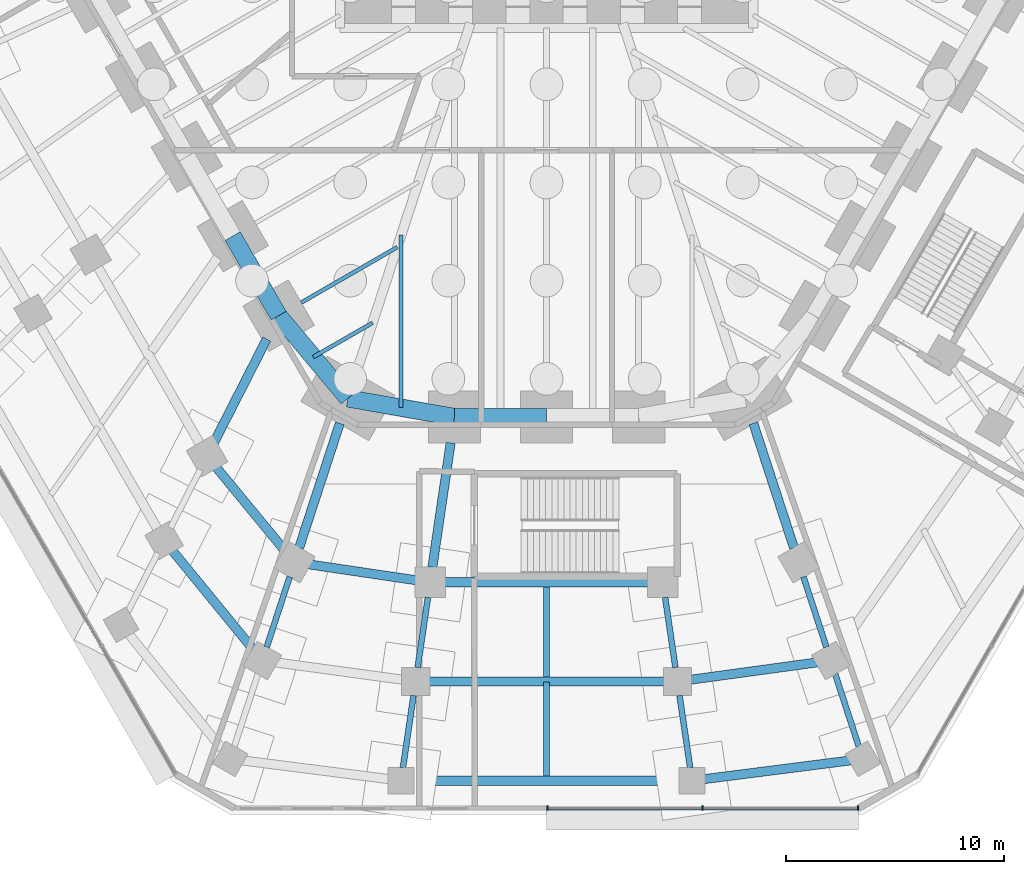
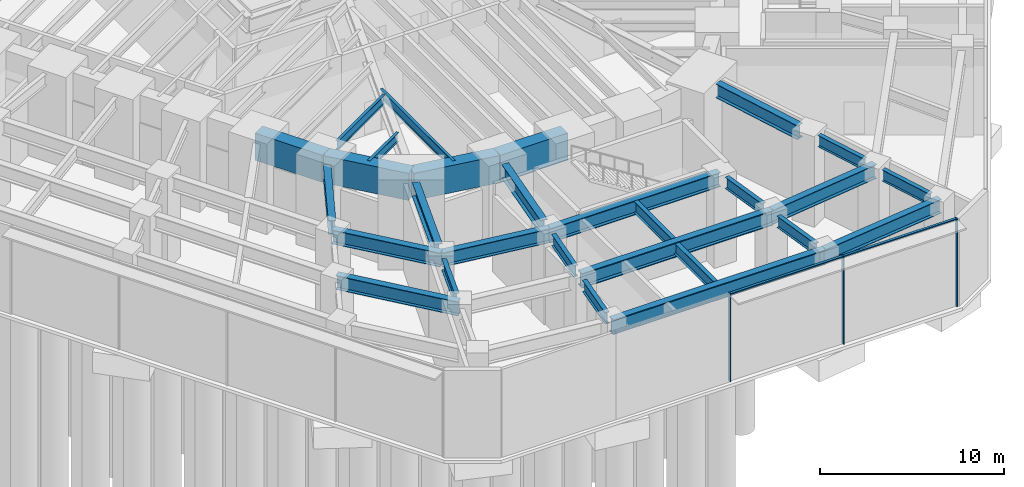
# One storey, part 4 of 34: 28 beams, 5 members, 1 element without a shape of its own.
"""IFC4 building model written with IfcOpenShell, lengths in metres."""

from ifc_helpers import new_model, si_unit, direction, frame, origin, origin_2d, place, context, subcontext, project, spatial, rectangle, i_section, extrude, material, material_profile, profile_set, type_object, element, aggregate, save


model = new_model("IFC4")

# Units and contexts
model_context = context("Model", 3, precision=1e-05, world=origin(), true_north=direction((0.0, 1.0)))
body_context = subcontext(model_context, "Body", "Model", "MODEL_VIEW")
ifc_project = project(units=[si_unit("LENGTHUNIT", "METRE"), si_unit("AREAUNIT", "SQUARE_METRE"), si_unit("VOLUMEUNIT", "CUBIC_METRE"), si_unit("PLANEANGLEUNIT", "RADIAN"), si_unit("MASSUNIT", "GRAM", prefix="KILO")], contexts=[model_context])

# Site, building, storey
site_placement = place(None, origin())
site = spatial("IfcSite", under=ifc_project, at=site_placement, CompositionType="ELEMENT")
building_placement = place(site_placement, origin())
building = spatial("IfcBuilding", under=site, at=building_placement, Name="Sandreach Pilgrim Tower", CompositionType="ELEMENT")
storey_placement = place(building_placement, origin())
storey = spatial("IfcBuildingStorey", under=building, at=storey_placement, Name="L00", CompositionType="ELEMENT", Elevation=0.0)

# Curtain wall, members
ifc_material_1 = material(Name="Aluminium framed curtain wall", Category="aluminium")
curtain_wall_type = type_object("IfcCurtainWallType", Name="Podium storefront curtain wall", PredefinedType="NOTDEFINED", material=ifc_material_1)
curtain_wall_placement = place(storey_placement, origin())
curtain_wall = element("IfcCurtainWall", 1, at=curtain_wall_placement, inside=storey, type_object=curtain_wall_type, Name="CW-P L00 SA", PredefinedType="NOTDEFINED")
ifc_material_2 = material(Name="Aluminium extrusion", Category="aluminium")
ifc_material_profile_1 = material_profile(ifc_material_2, rectangle(XDim=0.070068359375, YDim=0.199951171875, at=origin_2d()), Name="CW-PM 70X200")
ifc_profile_set_1 = profile_set([ifc_material_profile_1], Name="Aluminium extrusion")
member_type_1 = type_object("IfcMemberType", Name="CW-P mullion", PredefinedType="MULLION", material=ifc_profile_set_1)
member_1_placement = place(storey_placement, frame((14.277099609375, -46.681884765625, 0.0), z_axis=(0.0, 0.0, 1.0), x_axis=(-1.0, 0.0, 0.0)))
member_1 = element("IfcMember", 2, at=member_1_placement, type_object=member_type_1, Name="CW-P mullion 1", PredefinedType="MULLION", context=body_context, shape_type="SweptSolid", body=[
    extrude(rectangle(XDim=0.070068359375, YDim=0.199951171875, at=origin_2d()), origin(), (0.0, 0.0, 1.0), 5.840087890625),
])
member_2_placement = place(storey_placement, frame((7.156005859375, -46.681884765625, 0.0), z_axis=(0.0, 0.0, 1.0), x_axis=(-1.0, 0.0, 0.0)))
member_2 = element("IfcMember", 3, at=member_2_placement, type_object=member_type_1, Name="CW-P mullion 2", PredefinedType="MULLION", context=body_context, shape_type="SweptSolid", body=[
    extrude(rectangle(XDim=0.070068359375, YDim=0.199951171875, at=origin_2d()), origin(), (0.0, 0.0, 1.0), 5.840087890625),
])
member_3_placement = place(storey_placement, frame((0.034912109375, -46.681884765625, 0.0), z_axis=(0.0, 0.0, 1.0), x_axis=(-1.0, 0.0, 0.0)))
member_3 = element("IfcMember", 4, at=member_3_placement, type_object=member_type_1, Name="CW-P mullion 3", PredefinedType="MULLION", context=body_context, shape_type="SweptSolid", body=[
    extrude(rectangle(XDim=0.070068359375, YDim=0.199951171875, at=origin_2d()), origin(), (0.0, 0.0, 1.0), 5.840087890625),
])
ifc_material_3 = material(Name="Aluminium extrusion", Category="aluminium")
ifc_material_profile_2 = material_profile(ifc_material_3, rectangle(XDim=0.159912109375, YDim=0.070068359375, at=origin_2d()), Name="CW-PT 160X70")
ifc_profile_set_2 = profile_set([ifc_material_profile_2], Name="Aluminium extrusion")
member_type_2 = type_object("IfcMemberType", Name="CW-P transom", PredefinedType="USERDEFINED", material=ifc_profile_set_2)
member_4_placement = place(storey_placement, frame((14.241943359375, -46.681884765625, 5.804931640625), z_axis=(-1.0, 0.0, 0.0), x_axis=(0.0, -1.0, 0.0)))
member_4 = element("IfcMember", 5, at=member_4_placement, type_object=member_type_2, Name="CW-P head transom 1", ObjectType="TRANSOM", PredefinedType="USERDEFINED", context=body_context, shape_type="SweptSolid", body=[
    extrude(rectangle(XDim=0.159912109375, YDim=0.070068359375, at=origin_2d()), origin(), (0.0, 0.0, 1.0), 7.051025390625),
])
member_5_placement = place(storey_placement, frame((7.12109375, -46.681884765625, 5.804931640625), z_axis=(-1.0, 0.0, 0.0), x_axis=(0.0, -1.0, 0.0)))
member_5 = element("IfcMember", 6, at=member_5_placement, type_object=member_type_2, Name="CW-P head transom 2", ObjectType="TRANSOM", PredefinedType="USERDEFINED", context=body_context, shape_type="SweptSolid", body=[
    extrude(rectangle(XDim=0.159912109375, YDim=0.070068359375, at=origin_2d()), origin(), (0.0, 0.0, 1.0), 7.051025390625),
])
aggregate(curtain_wall, [member_1, member_2, member_3, member_4, member_5])

# Beams
ifc_material_4 = material(Name="Steel ASTM A992 Grade 50", Category="steel")
ifc_material_profile_3 = material_profile(ifc_material_4, i_section(OverallWidth=0.1787109375, OverallDepth=0.60205078125, WebThickness=0.010986328125, FlangeThickness=0.014892578125, at=origin_2d()), Name="W24X62")
ifc_profile_set_3 = profile_set([ifc_material_profile_3], Name="Steel ASTM A992 Grade 50")
beam_type_1 = type_object("IfcBeamType", Name="Floor beam W24X62", PredefinedType="BEAM", material=ifc_profile_set_3)
beam_1_placement = place(storey_placement, frame((-11.242431640625, -23.5048828125, 5.5390625), z_axis=(0.866027897259, 0.49999568115, 0.0), x_axis=(-0.49999568115, 0.866027897259, 0.0)))
element("IfcBeam", 7, at=beam_1_placement, inside=storey, type_object=beam_type_1, Name="BM L00 F27", PredefinedType="BEAM", context=body_context, shape_type="SweptSolid", body=[
    extrude(i_section(OverallWidth=0.1787109375, OverallDepth=0.60205078125, WebThickness=0.010986328125, FlangeThickness=0.014892578125, at=origin_2d()), origin(), (0.0, 0.0, 1.0), 5.0791015625),
])
beam_2_placement = place(storey_placement, frame((-6.664306640625, -28.323974609375, 5.5390625), z_axis=(0.0, 1.0, 0.0), x_axis=(-1.0, 0.0, 0.0)))
element("IfcBeam", 8, at=beam_2_placement, inside=storey, type_object=beam_type_1, Name="BM L00 FM25", PredefinedType="BEAM", context=body_context, shape_type="SweptSolid", body=[
    extrude(i_section(OverallWidth=0.1787109375, OverallDepth=0.60205078125, WebThickness=0.010986328125, FlangeThickness=0.014892578125, at=origin_2d()), origin(), (0.0, 0.0, 1.0), 7.907958984375),
])
beam_3_placement = place(storey_placement, frame((-10.694091796875, -26.0009765625, 5.5390625), z_axis=(0.866023718453, 0.500002919068, 0.0), x_axis=(-0.500002919068, 0.866023718453, 0.0)))
element("IfcBeam", 9, at=beam_3_placement, inside=storey, type_object=beam_type_1, Name="BM L00 FM26", PredefinedType="BEAM", context=body_context, shape_type="SweptSolid", body=[
    extrude(i_section(OverallWidth=0.1787109375, OverallDepth=0.60205078125, WebThickness=0.010986328125, FlangeThickness=0.014892578125, at=origin_2d()), origin(), (0.0, 0.0, 1.0), 3.1396484375),
])
ifc_material_5 = material(Name="Steel ASTM A992 Grade 50", Category="steel")
ifc_material_profile_4 = material_profile(ifc_material_5, i_section(OverallWidth=0.2666015625, OverallDepth=0.7568359375, WebThickness=0.013916015625, FlangeThickness=0.019287109375, at=origin_2d()), Name="W30X108")
ifc_profile_set_4 = profile_set([ifc_material_profile_4], Name="Steel ASTM A992 Grade 50")
beam_type_2 = type_object("IfcBeamType", Name="Podium beam W30X108", PredefinedType="BEAM", material=ifc_profile_set_4)
beam_4_placement = place(storey_placement, frame((11.775390625, -36.073486328125, 5.46142578125), z_axis=(0.310346008344, -0.950623666392, 0.0), x_axis=(0.950623666392, 0.310346008344, 0.0)))
element("IfcBeam", 10, at=beam_4_placement, inside=storey, type_object=beam_type_2, Name="BM L00 PR140-22", PredefinedType="BEAM", context=body_context, shape_type="SweptSolid", body=[
    extrude(i_section(OverallWidth=0.2666015625, OverallDepth=0.7568359375, WebThickness=0.013916015625, FlangeThickness=0.019287109375, at=origin_2d()), origin(), (0.0, 0.0, 1.0), 3.390625),
])
beam_5_placement = place(storey_placement, frame((5.436767578125, -37.021240234375, 5.46142578125), z_axis=(0.145338057228, -0.989382054174, 0.0), x_axis=(0.989382054174, 0.145338057228, 0.0)))
element("IfcBeam", 11, at=beam_5_placement, inside=storey, type_object=beam_type_2, Name="BM L00 PR140-23", PredefinedType="BEAM", context=body_context, shape_type="SweptSolid", body=[
    extrude(i_section(OverallWidth=0.2666015625, OverallDepth=0.7568359375, WebThickness=0.013916015625, FlangeThickness=0.019287109375, at=origin_2d()), origin(), (0.0, 0.0, 1.0), 3.245361328125),
])
beam_6_placement = place(storey_placement, frame((0.0, -36.540771484375, 5.46142578125), z_axis=(0.0, -1.0, 0.0), x_axis=(1.0, 0.0, 0.0)))
element("IfcBeam", 12, at=beam_6_placement, inside=storey, type_object=beam_type_2, Name="BM L00 PR140-24", PredefinedType="BEAM", context=body_context, shape_type="SweptSolid", body=[
    extrude(i_section(OverallWidth=0.2666015625, OverallDepth=0.7568359375, WebThickness=0.013916015625, FlangeThickness=0.019287109375, at=origin_2d()), origin(), (0.0, 0.0, 1.0), 4.12109375),
])
beam_7_placement = place(storey_placement, frame((-5.436767578125, -37.021240234375, 5.46142578125), z_axis=(-0.145338057228, -0.989382054174, 0.0), x_axis=(0.989382054174, -0.145338057228, 0.0)))
element("IfcBeam", 13, at=beam_7_placement, inside=storey, type_object=beam_type_2, Name="BM L00 PR140-25", PredefinedType="BEAM", context=body_context, shape_type="SweptSolid", body=[
    extrude(i_section(OverallWidth=0.2666015625, OverallDepth=0.7568359375, WebThickness=0.013916015625, FlangeThickness=0.019287109375, at=origin_2d()), origin(), (0.0, 0.0, 1.0), 3.245361328125),
])
beam_8_placement = place(storey_placement, frame((-11.775390625, -36.073486328125, 5.46142578125), z_axis=(-0.310346008344, -0.950623666392, 0.0), x_axis=(0.950623666392, -0.310346008344, 0.0)))
element("IfcBeam", 14, at=beam_8_placement, inside=storey, type_object=beam_type_2, Name="BM L00 PR140-26", PredefinedType="BEAM", context=body_context, shape_type="SweptSolid", body=[
    extrude(i_section(OverallWidth=0.2666015625, OverallDepth=0.7568359375, WebThickness=0.013916015625, FlangeThickness=0.019287109375, at=origin_2d()), origin(), (0.0, 0.0, 1.0), 3.390625),
])
beam_9_placement = place(storey_placement, frame((13.23095703125, -40.532470703125, 5.37158203125), z_axis=(0.310325680687, -0.950630302434, 0.0), x_axis=(0.950630302434, 0.310325680687, 0.0)))
element("IfcBeam", 15, at=beam_9_placement, inside=storey, type_object=beam_type_2, Name="BM L00 PR155-22", PredefinedType="BEAM", context=body_context, shape_type="SweptSolid", body=[
    extrude(i_section(OverallWidth=0.2666015625, OverallDepth=0.7568359375, WebThickness=0.013916015625, FlangeThickness=0.019287109375, at=origin_2d()), origin(), (0.0, 0.0, 1.0), 3.49072265625),
])
beam_10_placement = place(storey_placement, frame((6.097412109375, -41.518310546875, 5.37158203125), z_axis=(0.145302794281, -0.989387233582, 0.0), x_axis=(0.989387233582, 0.145302794281, 0.0)))
element("IfcBeam", 16, at=beam_10_placement, inside=storey, type_object=beam_type_2, Name="BM L00 PR155-23", PredefinedType="BEAM", context=body_context, shape_type="SweptSolid", body=[
    extrude(i_section(OverallWidth=0.2666015625, OverallDepth=0.7568359375, WebThickness=0.013916015625, FlangeThickness=0.019287109375, at=origin_2d()), origin(), (0.0, 0.0, 1.0), 3.34521484375),
])
beam_11_placement = place(storey_placement, frame((0.0, -40.890625, 5.37158203125), z_axis=(0.0, -1.0, 0.0), x_axis=(1.0, 0.0, 0.0)))
element("IfcBeam", 17, at=beam_11_placement, inside=storey, type_object=beam_type_2, Name="BM L00 PR155-24", PredefinedType="BEAM", context=body_context, shape_type="SweptSolid", body=[
    extrude(i_section(OverallWidth=0.2666015625, OverallDepth=0.7568359375, WebThickness=0.013916015625, FlangeThickness=0.019287109375, at=origin_2d()), origin(), (0.0, 0.0, 1.0), 4.31787109375),
])
beam_12_placement = place(storey_placement, frame((-6.097412109375, -41.518310546875, 5.37158203125), z_axis=(-0.145302794281, -0.989387233582, 0.0), x_axis=(0.989387233582, -0.145302794281, 0.0)))
element("IfcBeam", 18, at=beam_12_placement, inside=storey, type_object=beam_type_2, Name="BM L00 PR155-25", PredefinedType="BEAM", context=body_context, shape_type="SweptSolid", body=[
    extrude(i_section(OverallWidth=0.2666015625, OverallDepth=0.7568359375, WebThickness=0.013916015625, FlangeThickness=0.019287109375, at=origin_2d()), origin(), (0.0, 0.0, 1.0), 3.34521484375),
])
ifc_material_6 = material(Name="Steel ASTM A992 Grade 50", Category="steel")
ifc_material_profile_5 = material_profile(ifc_material_6, i_section(OverallWidth=0.419189453125, OverallDepth=0.927001953125, WebThickness=0.019287109375, FlangeThickness=0.031982421875, at=origin_2d()), Name="W36X231")
ifc_profile_set_5 = profile_set([ifc_material_profile_5], Name="Steel ASTM A992 Grade 50")
beam_type_3 = type_object("IfcBeamType", Name="Podium beam W36X231", PredefinedType="BEAM", material=ifc_profile_set_5)
beam_13_placement = place(storey_placement, frame((9.478759765625, -29.037841796875, 5.37646484375), z_axis=(0.310289989087, -0.950641952931, 0.0), x_axis=(0.950641952931, 0.310289989087, 0.0)))
element("IfcBeam", 19, at=beam_13_placement, inside=storey, type_object=beam_type_3, Name="BM L00 PR125-22", PredefinedType="BEAM", context=body_context, shape_type="SweptSolid", body=[
    extrude(i_section(OverallWidth=0.419189453125, OverallDepth=0.927001953125, WebThickness=0.019287109375, FlangeThickness=0.031982421875, at=origin_2d()), origin(), (0.0, 0.0, 1.0), 6.0009765625),
])
beam_14_placement = place(storey_placement, frame((-4.396728515625, -29.938232421875, 5.37646484375), z_axis=(-0.145284063583, -0.989389984217, 0.0), x_axis=(0.989389984217, -0.145284063583, 0.0)))
element("IfcBeam", 20, at=beam_14_placement, inside=storey, type_object=beam_type_3, Name="BM L00 PR125-25", PredefinedType="BEAM", context=body_context, shape_type="SweptSolid", body=[
    extrude(i_section(OverallWidth=0.419189453125, OverallDepth=0.927001953125, WebThickness=0.019287109375, FlangeThickness=0.031982421875, at=origin_2d()), origin(), (0.0, 0.0, 1.0), 5.7587890625),
])
beam_15_placement = place(storey_placement, frame((-9.478759765625, -29.037841796875, 5.37646484375), z_axis=(-0.310289989087, -0.950641952931, 0.0), x_axis=(0.950641952931, -0.310289989087, 0.0)))
element("IfcBeam", 21, at=beam_15_placement, inside=storey, type_object=beam_type_3, Name="BM L00 PR125-26", PredefinedType="BEAM", context=body_context, shape_type="SweptSolid", body=[
    extrude(i_section(OverallWidth=0.419189453125, OverallDepth=0.927001953125, WebThickness=0.019287109375, FlangeThickness=0.031982421875, at=origin_2d()), origin(), (0.0, 0.0, 1.0), 6.0009765625),
])
beam_16_placement = place(storey_placement, frame((-12.826416015625, -25.17431640625, 5.37646484375), z_axis=(-0.453982064466, -0.891010822125, 0.0), x_axis=(0.891010822125, -0.453982064466, 0.0)))
element("IfcBeam", 22, at=beam_16_placement, inside=storey, type_object=beam_type_3, Name="BM L00 PR125-27", PredefinedType="BEAM", context=body_context, shape_type="SweptSolid", body=[
    extrude(i_section(OverallWidth=0.419189453125, OverallDepth=0.927001953125, WebThickness=0.019287109375, FlangeThickness=0.031982421875, at=origin_2d()), origin(), (0.0, 0.0, 1.0), 5.328369140625),
])
ifc_material_7 = material(Name="Steel ASTM A992 Grade 50", Category="steel")
ifc_material_profile_6 = material_profile(ifc_material_7, i_section(OverallWidth=0.419189453125, OverallDepth=0.927001953125, WebThickness=0.019287109375, FlangeThickness=0.031982421875, at=origin_2d()), Name="W36X231")
ifc_profile_set_6 = profile_set([ifc_material_profile_6], Name="Steel ASTM A992 Grade 50")
beam_type_4 = type_object("IfcBeamType", Name="Podium edge beam W36X231", PredefinedType="BEAM", material=ifc_profile_set_6)
beam_17_placement = place(storey_placement, frame((-5.335205078125, -36.32861328125, 5.37646484375), z_axis=(-0.989232407401, 0.146353148743, 0.0), x_axis=(-0.146353148743, -0.989232407401, 0.0)))
element("IfcBeam", 23, at=beam_17_placement, inside=storey, type_object=beam_type_4, Name="BM L00 PE125-25", PredefinedType="BEAM", context=body_context, shape_type="SweptSolid", body=[
    extrude(i_section(OverallWidth=0.419189453125, OverallDepth=0.927001953125, WebThickness=0.019287109375, FlangeThickness=0.031982421875, at=origin_2d()), origin(), (0.0, 0.0, 1.0), 6.29052734375),
])
beam_18_placement = place(storey_placement, frame((-11.55810546875, -35.407958984375, 5.37646484375), z_axis=(-0.635790114851, 0.771861988867, 0.0), x_axis=(-0.771861988867, -0.635790114851, 0.0)))
element("IfcBeam", 24, at=beam_18_placement, inside=storey, type_object=beam_type_4, Name="BM L00 PE125-26", PredefinedType="BEAM", context=body_context, shape_type="SweptSolid", body=[
    extrude(i_section(OverallWidth=0.419189453125, OverallDepth=0.927001953125, WebThickness=0.019287109375, FlangeThickness=0.031982421875, at=origin_2d()), origin(), (0.0, 0.0, 1.0), 6.299560546875),
])
beam_19_placement = place(storey_placement, frame((13.029296875, -39.91455078125, 5.37646484375), z_axis=(-0.990781922529, -0.135466534578, 0.0), x_axis=(0.135466534578, -0.990781922529, 0.0)))
element("IfcBeam", 25, at=beam_19_placement, inside=storey, type_object=beam_type_4, Name="BM L00 PE140-22", PredefinedType="BEAM", context=body_context, shape_type="SweptSolid", body=[
    extrude(i_section(OverallWidth=0.419189453125, OverallDepth=0.927001953125, WebThickness=0.019287109375, FlangeThickness=0.031982421875, at=origin_2d()), origin(), (0.0, 0.0, 1.0), 7.091796875),
])
beam_20_placement = place(storey_placement, frame((-13.029296875, -39.91455078125, 5.37646484375), z_axis=(-0.633144313439, 0.774033770813, 0.0), x_axis=(-0.774033770813, -0.633144313439, 0.0)))
element("IfcBeam", 26, at=beam_20_placement, inside=storey, type_object=beam_type_4, Name="BM L00 PE140-26", PredefinedType="BEAM", context=body_context, shape_type="SweptSolid", body=[
    extrude(i_section(OverallWidth=0.419189453125, OverallDepth=0.927001953125, WebThickness=0.019287109375, FlangeThickness=0.031982421875, at=origin_2d()), origin(), (0.0, 0.0, 1.0), 7.111572265625),
])
beam_21_placement = place(storey_placement, frame((14.500244140625, -44.42138671875, 5.286376953125), z_axis=(-0.9919343967, -0.12675232796, 0.0), x_axis=(0.12675232796, -0.9919343967, 0.0)))
element("IfcBeam", 27, at=beam_21_placement, inside=storey, type_object=beam_type_4, Name="BM L00 PE155-22", PredefinedType="BEAM", context=body_context, shape_type="SweptSolid", body=[
    extrude(i_section(OverallWidth=0.419189453125, OverallDepth=0.927001953125, WebThickness=0.019287109375, FlangeThickness=0.031982421875, at=origin_2d()), origin(), (0.0, 0.0, 1.0), 7.893310546875),
])
ifc_material_8 = material(Name="Steel ASTM A992 Grade 50", Category="steel")
ifc_material_profile_7 = material_profile(ifc_material_8, i_section(OverallWidth=0.424072265625, OverallDepth=0.947509765625, WebThickness=0.02392578125, FlangeThickness=0.042724609375, at=origin_2d()), Name="W36X302")
ifc_profile_set_7 = profile_set([ifc_material_profile_7], Name="Steel ASTM A992 Grade 50")
beam_type_5 = type_object("IfcBeamType", Name="Podium edge beam W36X302", PredefinedType="BEAM", material=ifc_profile_set_7)
beam_22_placement = place(storey_placement, frame((5.335205078125, -36.32861328125, 5.3662109375), z_axis=(-1.0, 0.0, 0.0), x_axis=(0.0, -1.0, 0.0)))
element("IfcBeam", 28, at=beam_22_placement, inside=storey, type_object=beam_type_5, Name="BM L00 PE125-23", PredefinedType="BEAM", context=body_context, shape_type="SweptSolid", body=[
    extrude(i_section(OverallWidth=0.424072265625, OverallDepth=0.947509765625, WebThickness=0.02392578125, FlangeThickness=0.042724609375, at=origin_2d()), origin(), (0.0, 0.0, 1.0), 10.67041015625),
])
ifc_material_9 = material(Name="Steel ASTM A992 Grade 50", Category="steel")
ifc_material_profile_8 = material_profile(ifc_material_9, i_section(OverallWidth=0.4267578125, OverallDepth=0.975341796875, WebThickness=0.031005859375, FlangeThickness=0.055908203125, at=origin_2d()), Name="W36X395")
ifc_profile_set_8 = profile_set([ifc_material_profile_8], Name="Steel ASTM A992 Grade 50")
beam_type_6 = type_object("IfcBeamType", Name="Podium edge beam W36X395", PredefinedType="BEAM", material=ifc_profile_set_8)
beam_23_placement = place(storey_placement, frame((6.0029296875, -40.875244140625, 5.352294921875), z_axis=(-1.0, 0.0, 0.0), x_axis=(0.0, -1.0, 0.0)))
element("IfcBeam", 29, at=beam_23_placement, inside=storey, type_object=beam_type_6, Name="BM L00 PE140-23", PredefinedType="BEAM", context=body_context, shape_type="SweptSolid", body=[
    extrude(i_section(OverallWidth=0.4267578125, OverallDepth=0.975341796875, WebThickness=0.031005859375, FlangeThickness=0.055908203125, at=origin_2d()), origin(), (0.0, 0.0, 1.0), 12.005859375),
])
beam_24_placement = place(storey_placement, frame((6.670654296875, -45.421875, 5.26220703125), z_axis=(-1.0, 0.0, 0.0), x_axis=(0.0, -1.0, 0.0)))
element("IfcBeam", 30, at=beam_24_placement, inside=storey, type_object=beam_type_6, Name="BM L00 PE155-23", PredefinedType="BEAM", context=body_context, shape_type="SweptSolid", body=[
    extrude(i_section(OverallWidth=0.4267578125, OverallDepth=0.975341796875, WebThickness=0.031005859375, FlangeThickness=0.055908203125, at=origin_2d()), origin(), (0.0, 0.0, 1.0), 13.34130859375),
])
ifc_material_10 = material(Name="Concrete 10000 psi", Category="concrete")
ifc_material_profile_9 = material_profile(ifc_material_10, rectangle(XDim=0.800048828125, YDim=1.800048828125, at=origin_2d()), Name="RC800X1800")
ifc_profile_set_9 = profile_set([ifc_material_profile_9], Name="Concrete 10000 psi")
beam_type_7 = type_object("IfcBeamType", Name="Spandrel beam RC800X1800", PredefinedType="SPANDREL", material=ifc_profile_set_9)
beam_25_placement = place(storey_placement, frame((0.0, -28.7509765625, 4.93994140625), z_axis=(-1.0, 0.0, 0.0), x_axis=(0.0, -1.0, 0.0)))
element("IfcBeam", 31, at=beam_25_placement, inside=storey, type_object=beam_type_7, Name="BM L00 SP24", PredefinedType="SPANDREL", context=body_context, shape_type="SweptSolid", body=[
    extrude(rectangle(XDim=0.800048828125, YDim=1.800048828125, at=origin_2d()), origin(), (0.0, 0.0, 1.0), 4.222412109375),
])
beam_26_placement = place(storey_placement, frame((-4.222412109375, -28.7509765625, 4.93994140625), z_axis=(-0.985054495501, 0.17224297052, 0.0), x_axis=(-0.17224297052, -0.985054495501, 0.0)))
element("IfcBeam", 32, at=beam_26_placement, inside=storey, type_object=beam_type_7, Name="BM L00 SP25", PredefinedType="SPANDREL", context=body_context, shape_type="SweptSolid", body=[
    extrude(rectangle(XDim=0.800048828125, YDim=1.800048828125, at=origin_2d()), origin(), (0.0, 0.0, 1.0), 4.958251953125),
])
beam_27_placement = place(storey_placement, frame((-9.1064453125, -27.89697265625, 4.93994140625), z_axis=(-0.642008193922, 0.766697775488, 0.0), x_axis=(-0.766697775488, -0.642008193922, 0.0)))
element("IfcBeam", 33, at=beam_27_placement, inside=storey, type_object=beam_type_7, Name="BM L00 SP26", PredefinedType="SPANDREL", context=body_context, shape_type="SweptSolid", body=[
    extrude(rectangle(XDim=0.800048828125, YDim=1.800048828125, at=origin_2d()), origin(), (0.0, 0.0, 1.0), 4.94580078125),
])
beam_28_placement = place(storey_placement, frame((-12.28173828125, -24.10498046875, 4.93994140625), z_axis=(-0.499993523031, 0.866029143232, 0.0), x_axis=(-0.866029143232, -0.499993523031, 0.0)))
element("IfcBeam", 34, at=beam_28_placement, inside=storey, type_object=beam_type_7, Name="BM L00 SP27", PredefinedType="SPANDREL", context=body_context, shape_type="SweptSolid", body=[
    extrude(rectangle(XDim=0.800048828125, YDim=1.800048828125, at=origin_2d()), origin(), (0.0, 0.0, 1.0), 4.2099609375),
])

save(model, "model.ifc")
